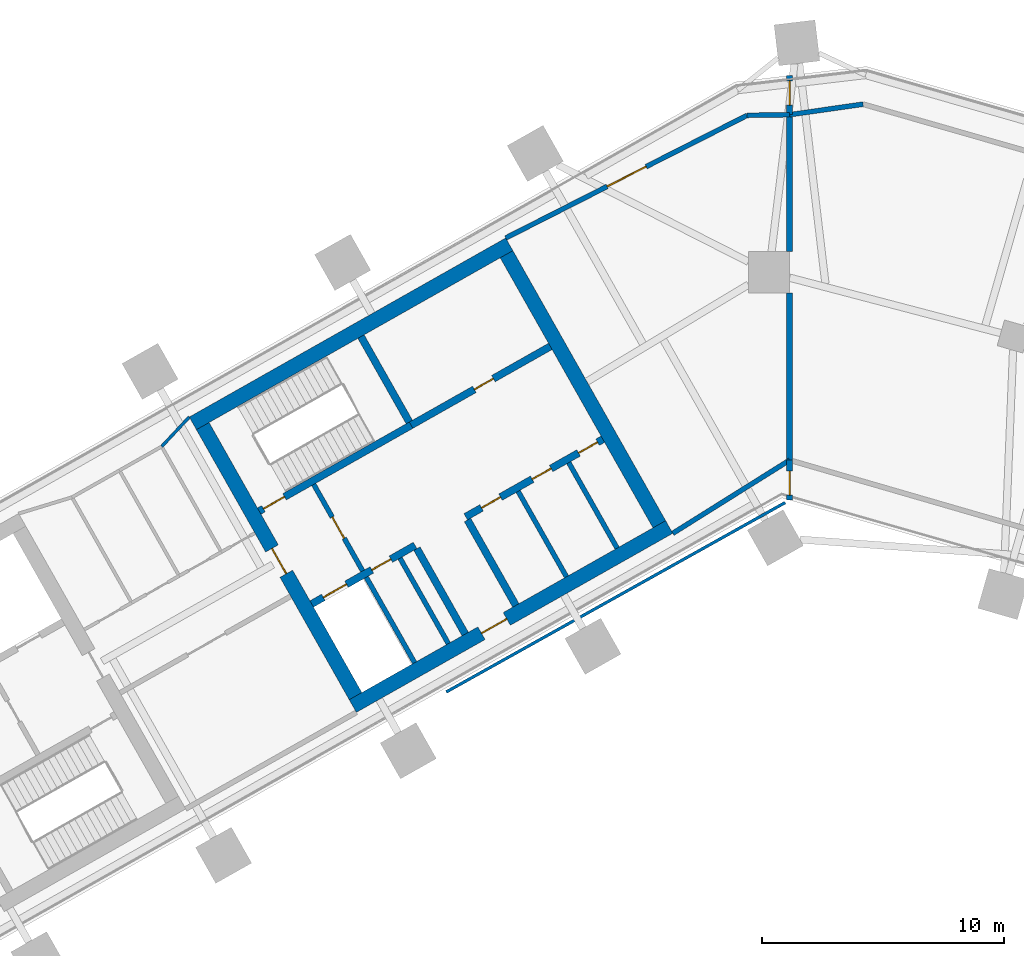
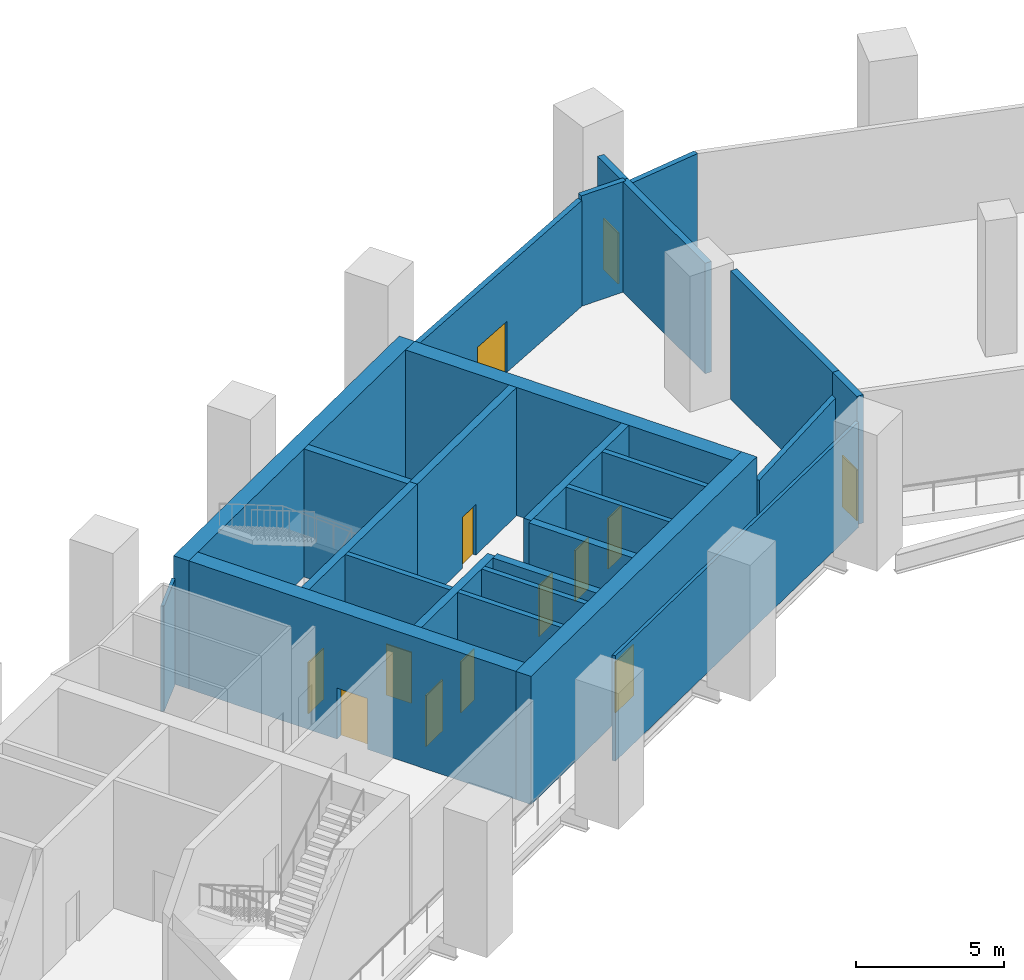
# One storey, part 5 of 11: 26 walls, 13 doors, 13 openings.
"""IFC4 building model written with IfcOpenShell, lengths in metres."""

from ifc_helpers import new_model, si_unit, direction, frame, frame_2d, origin, place, context, subcontext, project, spatial, rectangle, extrude, material, layer, layer_set, type_object, element, fill, save


model = new_model("IFC4")

# Units and contexts
model_context = context("Model", 3, precision=1e-05, world=origin(), true_north=direction((0.0, 1.0)))
body_context = subcontext(model_context, "Body", "Model", "MODEL_VIEW")
ifc_project = project(units=[si_unit("LENGTHUNIT", "METRE"), si_unit("AREAUNIT", "SQUARE_METRE"), si_unit("VOLUMEUNIT", "CUBIC_METRE"), si_unit("PLANEANGLEUNIT", "RADIAN"), si_unit("MASSUNIT", "GRAM", prefix="KILO")], contexts=[model_context])

# Site, building, storey
site_placement = place(None, origin())
site = spatial("IfcSite", under=ifc_project, at=site_placement, CompositionType="ELEMENT")
building_placement = place(site_placement, origin())
building = spatial("IfcBuilding", under=site, at=building_placement, Name="Binnacle Exchange Tower", CompositionType="ELEMENT")
storey_placement = place(building_placement, frame((0.0, 0.0, 91.5)))
storey = spatial("IfcBuildingStorey", under=building, at=storey_placement, Name="L18", CompositionType="ELEMENT", Elevation=91.5)

# Walls
ifc_material_1 = material(Name="Gypsum partition fire rated")
ifc_layer_1 = layer(ifc_material_1, 0.199951171875)
ifc_layer_set_1 = layer_set([ifc_layer_1], Name="Core partition 200")
wall_type_1 = type_object("IfcWallType", Name="Core partition 200", PredefinedType="PARTITIONING", material=ifc_layer_set_1)
wall_1_placement = place(storey_placement, frame((-11.201904296875, 50.96240234375, 0.0), z_axis=(0.0, 0.0, 1.0), x_axis=(0.49241474071, -0.870360685654, 0.0)))
element("IfcWall", 1, at=wall_1_placement, inside=storey, type_object=wall_type_1, Name="Core wall CRWC19", PredefinedType="PARTITIONING", context=body_context, shape_type="SweptSolid", body=[
    extrude(rectangle(XDim=4.05029296875, YDim=0.199951171875, at=frame_2d((2.025146484375, 0.0))), origin(), (0.0, 0.0, 1.0), 5.280029296875),
])
wall_2_placement = place(storey_placement, frame((-9.11279296875, 52.14404296875, 0.0), z_axis=(0.0, 0.0, 1.0), x_axis=(0.492394910396, -0.870371904542, 0.0)))
element("IfcWall", 2, at=wall_2_placement, inside=storey, type_object=wall_type_1, Name="Core wall CRWC22", PredefinedType="PARTITIONING", context=body_context, shape_type="SweptSolid", body=[
    extrude(rectangle(XDim=4.0498046875, YDim=0.199951171875, at=frame_2d((2.02490234375, 0.0))), origin(), (0.0, 0.0, 1.0), 5.280029296875),
])

# Wall, openings, doors
ifc_material_2 = material(Name="Concrete C70/85", Category="concrete")
ifc_layer_2 = layer(ifc_material_2, 0.300048828125)
ifc_layer_set_2 = layer_set([ifc_layer_2], Name="Core wall - front 300")
wall_type_2 = type_object("IfcWallType", Name="Core wall - front 300", PredefinedType="SOLIDWALL", material=ifc_layer_set_2)
wall_3_placement = place(storey_placement, frame((-19.718017578125, 46.31640625, 0.0), z_axis=(0.0, 0.0, 1.0), x_axis=(0.870353963862, 0.492426621528, 0.0)))
wall_3 = element("IfcWall", 3, at=wall_3_placement, inside=storey, type_object=wall_type_2, Name="Core wall CRWC2", PredefinedType="SOLIDWALL", context=body_context, shape_type="SweptSolid", body=[
    extrude(rectangle(XDim=4.89990234375, YDim=0.300048828125, at=frame_2d((2.449951171875, 0.0))), origin(), (0.0, 0.0, 1.0), 5.280029296875),
])
opening_1_placement = place(wall_3_placement, frame((0.550048828125, 0.0, 0.0)))
opening_1 = element("IfcOpeningElement", 4, at=opening_1_placement, cuts=wall_3, Name="Opening LD14", PredefinedType="OPENING", context=body_context, shape_type="SweptSolid", body=[
    extrude(rectangle(XDim=1.10009765625, YDim=2.10009765625, at=frame_2d((0.550048828125, 1.050048828125))), frame((0.0, 0.159912109375, 0.0), z_axis=(0.0, -1.0, 0.0), x_axis=(1.0, 0.0, 0.0)), (0.0, 0.0, 1.0), 0.320068359375),
])
opening_2_placement = place(wall_3_placement, frame((2.85009765625, 0.0, 0.0)))
opening_2 = element("IfcOpeningElement", 5, at=opening_2_placement, cuts=wall_3, Name="Opening DC14", PredefinedType="OPENING", context=body_context, shape_type="SweptSolid", body=[
    extrude(rectangle(XDim=0.89990234375, YDim=2.10009765625, at=frame_2d((0.449951171875, 1.050048828125))), frame((0.0, 0.159912109375, 0.0), z_axis=(0.0, -1.0, 0.0), x_axis=(1.0, 0.0, 0.0)), (0.0, 0.0, 1.0), 0.320068359375),
])
ifc_material_3 = material(Name="Steel door leaf", Category="steel")
door_type_1 = type_object("IfcDoorType", Name="Fire door - lift landing 1100", OperationType="NOTDEFINED", PredefinedType="DOOR", material=ifc_material_3)
door_1_placement = place(opening_1_placement, origin())
door_1 = element("IfcDoor", 6, at=door_1_placement, inside=storey, type_object=door_type_1, Name="Landing door LD14 L18", OperationType="DOUBLE_DOOR_SLIDING", OverallHeight=2.10009765625, OverallWidth=1.10009765625, PredefinedType="DOOR", context=body_context, shape_type="SweptSolid", body=[
    extrude(rectangle(XDim=1.10009765625, YDim=2.10009765625, at=frame_2d((0.550048828125, 1.050048828125))), frame((0.0, 0.02490234375, 0.0), z_axis=(0.0, -1.0, 0.0), x_axis=(1.0, 0.0, 0.0)), (0.0, 0.0, 1.0), 0.050048828125),
])
fill(opening_1, door_1)
door_type_2 = type_object("IfcDoorType", Name="Fire door 900", OperationType="NOTDEFINED", PredefinedType="DOOR", material=ifc_material_3)
door_2_placement = place(opening_2_placement, frame((0.89990234375, 0.0, 0.0), z_axis=(0.0, 0.0, 1.0), x_axis=(-1.0, 0.0, 0.0)))
door_2 = element("IfcDoor", 7, at=door_2_placement, inside=storey, type_object=door_type_2, Name="Core room door CLEANERS STORE", OperationType="SINGLE_SWING_LEFT", OverallHeight=2.10009765625, OverallWidth=0.89990234375, PredefinedType="DOOR", context=body_context, shape_type="SweptSolid", body=[
    extrude(rectangle(XDim=0.89990234375, YDim=2.10009765625, at=frame_2d((0.449951171875, 1.050048828125))), frame((0.0, 0.02490234375, 0.0), z_axis=(0.0, -1.0, 0.0), x_axis=(1.0, 0.0, 0.0)), (0.0, 0.0, 1.0), 0.050048828125),
])
fill(opening_2, door_2)

wall_4_placement = place(storey_placement, frame((-13.364501953125, 49.910888671875, 0.0), z_axis=(0.0, 0.0, 1.0), x_axis=(0.870340995471, 0.49244954219, 0.0)))
wall_4 = element("IfcWall", 8, at=wall_4_placement, inside=storey, type_object=wall_type_2, Name="Core wall CRWC3", PredefinedType="SOLIDWALL", context=body_context, shape_type="SweptSolid", body=[
    extrude(rectangle(XDim=6.5, YDim=0.300048828125, at=frame_2d((3.25, 0.0))), origin(), (0.0, 0.0, 1.0), 5.280029296875),
])
opening_3_placement = place(wall_4_placement, frame((0.75, 0.0, 0.0)))
opening_3 = element("IfcOpeningElement", 9, at=opening_3_placement, cuts=wall_4, Name="Opening DC18", PredefinedType="OPENING", context=body_context, shape_type="SweptSolid", body=[
    extrude(rectangle(XDim=0.89990234375, YDim=2.10009765625, at=frame_2d((0.449951171875, 1.050048828125))), frame((0.0, 0.159912109375, 0.0), z_axis=(0.0, -1.0, 0.0), x_axis=(1.0, 0.0, 0.0)), (0.0, 0.0, 1.0), 0.320068359375),
])
opening_4_placement = place(wall_4_placement, frame((3.14990234375, 0.0, 0.0)))
opening_4 = element("IfcOpeningElement", 10, at=opening_4_placement, cuts=wall_4, Name="Opening DC19", PredefinedType="OPENING", context=body_context, shape_type="SweptSolid", body=[
    extrude(rectangle(XDim=0.89990234375, YDim=2.10009765625, at=frame_2d((0.449951171875, 1.050048828125))), frame((0.0, 0.159912109375, 0.0), z_axis=(0.0, -1.0, 0.0), x_axis=(1.0, 0.0, 0.0)), (0.0, 0.0, 1.0), 0.320068359375),
])
opening_5_placement = place(wall_4_placement, frame((5.35009765625, 0.0, 0.0)))
opening_5 = element("IfcOpeningElement", 11, at=opening_5_placement, cuts=wall_4, Name="Opening DC20", PredefinedType="OPENING", context=body_context, shape_type="SweptSolid", body=[
    extrude(rectangle(XDim=0.89990234375, YDim=2.10009765625, at=frame_2d((0.449951171875, 1.050048828125))), frame((0.0, 0.159912109375, 0.0), z_axis=(0.0, -1.0, 0.0), x_axis=(1.0, 0.0, 0.0)), (0.0, 0.0, 1.0), 0.320068359375),
])
door_3_placement = place(opening_3_placement, frame((0.89990234375, 0.0, 0.0), z_axis=(0.0, 0.0, 1.0), x_axis=(-1.0, 0.0, 0.0)))
door_3 = element("IfcDoor", 12, at=door_3_placement, inside=storey, type_object=door_type_2, Name="Core room door IT STORE", OperationType="SINGLE_SWING_RIGHT", OverallHeight=2.10009765625, OverallWidth=0.89990234375, PredefinedType="DOOR", context=body_context, shape_type="SweptSolid", body=[
    extrude(rectangle(XDim=0.89990234375, YDim=2.10009765625, at=frame_2d((0.449951171875, 1.050048828125))), frame((0.0, 0.02490234375, 0.0), z_axis=(0.0, -1.0, 0.0), x_axis=(1.0, 0.0, 0.0)), (0.0, 0.0, 1.0), 0.050048828125),
])
fill(opening_3, door_3)
door_4_placement = place(opening_4_placement, frame((0.89990234375, 0.0, 0.0), z_axis=(0.0, 0.0, 1.0), x_axis=(-1.0, 0.0, 0.0)))
door_4 = element("IfcDoor", 13, at=door_4_placement, inside=storey, type_object=door_type_2, Name="Core room door UPS CUPBOARD", OperationType="SINGLE_SWING_LEFT", OverallHeight=2.10009765625, OverallWidth=0.89990234375, PredefinedType="DOOR", context=body_context, shape_type="SweptSolid", body=[
    extrude(rectangle(XDim=0.89990234375, YDim=2.10009765625, at=frame_2d((0.449951171875, 1.050048828125))), frame((0.0, 0.02490234375, 0.0), z_axis=(0.0, -1.0, 0.0), x_axis=(1.0, 0.0, 0.0)), (0.0, 0.0, 1.0), 0.050048828125),
])
fill(opening_4, door_4)
door_5_placement = place(opening_5_placement, frame((0.89990234375, 0.0, 0.0), z_axis=(0.0, 0.0, 1.0), x_axis=(-1.0, 0.0, 0.0)))
door_5 = element("IfcDoor", 14, at=door_5_placement, inside=storey, type_object=door_type_2, Name="Core room door FIBRE ENTRY ROOM", OperationType="SINGLE_SWING_LEFT", OverallHeight=2.10009765625, OverallWidth=0.89990234375, PredefinedType="DOOR", context=body_context, shape_type="SweptSolid", body=[
    extrude(rectangle(XDim=0.89990234375, YDim=2.10009765625, at=frame_2d((0.449951171875, 1.050048828125))), frame((0.0, 0.02490234375, 0.0), z_axis=(0.0, -1.0, 0.0), x_axis=(1.0, 0.0, 0.0)), (0.0, 0.0, 1.0), 0.050048828125),
])
fill(opening_5, door_5)

# Wall, opening, door
wall_5_placement = place(storey_placement, frame((-15.6181640625, 53.69140625, 0.0), z_axis=(0.0, 0.0, 1.0), x_axis=(0.870356769198, 0.492421663121, 0.0)))
wall_5 = element("IfcWall", 15, at=wall_5_placement, inside=storey, type_object=wall_type_2, Name="Core wall CRWC5", PredefinedType="SOLIDWALL", context=body_context, shape_type="SweptSolid", body=[
    extrude(rectangle(XDim=6.60009765625, YDim=0.300048828125, at=frame_2d((3.300048828125, 0.0))), origin(), (0.0, 0.0, 1.0), 5.280029296875),
])
opening_6_placement = place(wall_5_placement, frame((3.0, 0.0, 0.0)))
opening_6 = element("IfcOpeningElement", 16, at=opening_6_placement, cuts=wall_5, Name="Opening DC10", PredefinedType="OPENING", context=body_context, shape_type="SweptSolid", body=[
    extrude(rectangle(XDim=0.89990234375, YDim=2.10009765625, at=frame_2d((0.449951171875, 1.050048828125))), frame((0.0, 0.159912109375, 0.0), z_axis=(0.0, -1.0, 0.0), x_axis=(1.0, 0.0, 0.0)), (0.0, 0.0, 1.0), 0.320068359375),
])
door_6_placement = place(opening_6_placement, origin())
door_6 = element("IfcDoor", 17, at=door_6_placement, inside=storey, type_object=door_type_2, Name="Core room door STAFF PANTRY AND STORE", OperationType="SINGLE_SWING_RIGHT", OverallHeight=2.10009765625, OverallWidth=0.89990234375, PredefinedType="DOOR", context=body_context, shape_type="SweptSolid", body=[
    extrude(rectangle(XDim=0.89990234375, YDim=2.10009765625, at=frame_2d((0.449951171875, 1.050048828125))), frame((0.0, 0.02490234375, 0.0), z_axis=(0.0, -1.0, 0.0), x_axis=(1.0, 0.0, 0.0)), (0.0, 0.0, 1.0), 0.050048828125),
])
fill(opening_6, door_6)

# Walls
for number, where, z_axis, x_axis, name in (
    (18, (-15.37939453125, 48.5986328125, 0.0), (0.0, 0.0, 1.0), (0.492394910396, -0.870371904542, 0.0), "Core wall CRWC13"),
    (19, (-13.29052734375, 49.780517578125, 0.0), (0.0, 0.0, 1.0), (0.492394910396, -0.870371904542, 0.0), "Core wall CRWC15"),
):
    element("IfcWall", number, at=place(storey_placement, frame(where, z_axis=z_axis, x_axis=x_axis)), inside=storey, type_object=wall_type_2, Name=name, PredefinedType="SOLIDWALL", context=body_context, shape_type="SweptSolid", body=[
        extrude(rectangle(XDim=4.0498046875, YDim=0.300048828125, at=frame_2d((2.02490234375, 0.0))), origin(), (0.0, 0.0, 1.0), 5.280029296875),
    ])

# Wall, opening, door
ifc_layer_3 = layer(ifc_material_2, 0.60009765625)
ifc_layer_set_3 = layer_set([ifc_layer_3], Name="Core wall - outer 600")
wall_type_3 = type_object("IfcWallType", Name="Core wall - outer 600", PredefinedType="SOLIDWALL", material=ifc_layer_set_3)
wall_6_placement = place(storey_placement, frame((-18.0244140625, 42.104248046875, 0.0), z_axis=(0.0, 0.0, 1.0), x_axis=(0.870360574057, 0.492414937962, 0.0)))
wall_6 = element("IfcWall", 20, at=wall_6_placement, inside=storey, type_object=wall_type_3, Name="Core wall CRWC1", PredefinedType="SOLIDWALL", context=body_context, shape_type="SweptSolid", body=[
    extrude(rectangle(XDim=15.0, YDim=0.60009765625, at=frame_2d((7.5, 0.0))), origin(), (0.0, 0.0, 1.0), 5.280029296875),
])
opening_7_placement = place(wall_6_placement, frame((6.10009765625, 0.0, 0.0)))
opening_7 = element("IfcOpeningElement", 21, at=opening_7_placement, cuts=wall_6, Name="Opening DC7", PredefinedType="OPENING", context=body_context, shape_type="SweptSolid", body=[
    extrude(rectangle(XDim=1.199951171875, YDim=2.10009765625, at=frame_2d((0.60009765625, 1.050048828125))), frame((0.0, 0.31005859375, 0.0), z_axis=(0.0, -1.0, 0.0), x_axis=(1.0, 0.0, 0.0)), (0.0, 0.0, 1.0), 0.6201171875),
])
door_type_3 = type_object("IfcDoorType", Name="Fire door 1200", OperationType="NOTDEFINED", PredefinedType="DOOR", material=ifc_material_3)
door_7_placement = place(opening_7_placement, frame((1.199951171875, 0.0, 0.0), z_axis=(0.0, 0.0, 1.0), x_axis=(-1.0, 0.0, 0.0)))
door_7 = element("IfcDoor", 22, at=door_7_placement, inside=storey, type_object=door_type_3, Name="Lift lobby entrance door core C", OperationType="SINGLE_SWING_RIGHT", OverallHeight=2.10009765625, OverallWidth=1.199951171875, PredefinedType="DOOR", context=body_context, shape_type="SweptSolid", body=[
    extrude(rectangle(XDim=1.199951171875, YDim=2.10009765625, at=frame_2d((0.60009765625, 1.050048828125))), frame((0.0, 0.02490234375, 0.0), z_axis=(0.0, -1.0, 0.0), x_axis=(1.0, 0.0, 0.0)), (0.0, 0.0, 1.0), 0.050048828125),
])
fill(opening_7, door_7)

# Wall
wall_7_placement = place(storey_placement, frame((-24.622802734375, 53.76708984375, 0.0), z_axis=(0.0, 0.0, 1.0), x_axis=(0.870356627484, 0.492421913601, 0.0)))
element("IfcWall", 23, at=wall_7_placement, inside=storey, type_object=wall_type_3, Name="Core wall CRWC6", PredefinedType="SOLIDWALL", context=body_context, shape_type="SweptSolid", body=[
    extrude(rectangle(XDim=14.999755859375, YDim=0.60009765625, at=frame_2d((7.5, 0.0))), origin(), (0.0, 0.0, 1.0), 5.280029296875),
])

# Wall, opening, door
wall_8_placement = place(storey_placement, frame((-24.214111328125, 53.653564453125, 0.0), z_axis=(0.0, 0.0, 1.0), x_axis=(0.492441221355, -0.870345703448, 0.0)))
wall_8 = element("IfcWall", 24, at=wall_8_placement, inside=storey, type_object=wall_type_3, Name="Core wall CRWC7", PredefinedType="SOLIDWALL", context=body_context, shape_type="SweptSolid", body=[
    extrude(rectangle(XDim=12.800048828125, YDim=0.60009765625, at=frame_2d((6.39990234375, 0.0))), origin(), (0.0, 0.0, 1.0), 5.280029296875),
])
opening_8_placement = place(wall_8_placement, frame((5.800048828125, 0.0, 0.0)))
opening_8 = element("IfcOpeningElement", 25, at=opening_8_placement, cuts=wall_8, Name="Opening DC5", PredefinedType="OPENING", context=body_context, shape_type="SweptSolid", body=[
    extrude(rectangle(XDim=1.199951171875, YDim=2.10009765625, at=frame_2d((0.60009765625, 1.050048828125))), frame((0.0, 0.31005859375, 0.0), z_axis=(0.0, -1.0, 0.0), x_axis=(1.0, 0.0, 0.0)), (0.0, 0.0, 1.0), 0.6201171875),
])
door_8_placement = place(opening_8_placement, frame((1.199951171875, 0.0, 0.0), z_axis=(0.0, 0.0, 1.0), x_axis=(-1.0, 0.0, 0.0)))
door_8 = element("IfcDoor", 26, at=door_8_placement, inside=storey, type_object=door_type_3, Name="Vestibule exit door VEST-W", OperationType="SINGLE_SWING_LEFT", OverallHeight=2.10009765625, OverallWidth=1.199951171875, PredefinedType="DOOR", context=body_context, shape_type="SweptSolid", body=[
    extrude(rectangle(XDim=1.199951171875, YDim=2.10009765625, at=frame_2d((0.60009765625, 1.050048828125))), frame((0.0, 0.02490234375, 0.0), z_axis=(0.0, -1.0, 0.0), x_axis=(1.0, 0.0, 0.0)), (0.0, 0.0, 1.0), 0.050048828125),
])
fill(opening_8, door_8)

# Wall
wall_9_placement = place(storey_placement, frame((-11.680908203125, 60.744384765625, 0.0), z_axis=(0.0, 0.0, 1.0), x_axis=(0.492426772896, -0.870353878221, 0.0)))
element("IfcWall", 27, at=wall_9_placement, inside=storey, type_object=wall_type_3, Name="Core wall CRWC24", PredefinedType="SOLIDWALL", context=body_context, shape_type="SweptSolid", body=[
    extrude(rectangle(XDim=12.7998046875, YDim=0.60009765625, at=frame_2d((6.39990234375, 0.0))), origin(), (0.0, 0.0, 1.0), 5.280029296875),
])

# Wall, opening, door
ifc_layer_4 = layer(ifc_material_2, 0.300048828125)
ifc_layer_set_4 = layer_set([ifc_layer_4], Name="Core wall - stair 300")
wall_type_4 = type_object("IfcWallType", Name="Core wall - stair 300", PredefinedType="SOLIDWALL", material=ifc_layer_set_4)
wall_10_placement = place(storey_placement, frame((-21.884765625, 50.14599609375, 0.0), z_axis=(0.0, 0.0, 1.0), x_axis=(0.870359411463, 0.492416992881, 0.0)))
wall_10 = element("IfcWall", 28, at=wall_10_placement, inside=storey, type_object=wall_type_4, Name="Core wall CRWC4", PredefinedType="SOLIDWALL", context=body_context, shape_type="SweptSolid", body=[
    extrude(rectangle(XDim=7.199951171875, YDim=0.300048828125, at=frame_2d((3.60009765625, 0.0))), origin(), (0.0, 0.0, 1.0), 5.280029296875),
])
opening_9_placement = place(wall_10_placement, frame((0.199951171875, 0.0, 0.0)))
opening_9 = element("IfcOpeningElement", 29, at=opening_9_placement, cuts=wall_10, Name="Opening DC1", PredefinedType="OPENING", context=body_context, shape_type="SweptSolid", body=[
    extrude(rectangle(XDim=1.0, YDim=2.10009765625, at=frame_2d((0.5, 1.050048828125))), frame((0.0, 0.159912109375, 0.0), z_axis=(0.0, -1.0, 0.0), x_axis=(1.0, 0.0, 0.0)), (0.0, 0.0, 1.0), 0.320068359375),
])
door_type_4 = type_object("IfcDoorType", Name="Fire door 1000", OperationType="NOTDEFINED", PredefinedType="DOOR", material=ifc_material_3)
door_9_placement = place(opening_9_placement, origin())
door_9 = element("IfcDoor", 30, at=door_9_placement, inside=storey, type_object=door_type_4, Name="Stair door ST-C1", OperationType="SINGLE_SWING_LEFT", OverallHeight=2.10009765625, OverallWidth=1.0, PredefinedType="DOOR", context=body_context, shape_type="SweptSolid", body=[
    extrude(rectangle(XDim=1.0, YDim=2.10009765625, at=frame_2d((0.5, 1.050048828125))), frame((0.0, 0.02490234375, 0.0), z_axis=(0.0, -1.0, 0.0), x_axis=(1.0, 0.0, 0.0)), (0.0, 0.0, 1.0), 0.050048828125),
])
fill(opening_9, door_9)

# Wall
wall_11_placement = place(storey_placement, frame((-17.686279296875, 57.3466796875, 0.0), z_axis=(0.0, 0.0, 1.0), x_axis=(0.492420746998, -0.870357287513, 0.0)))
element("IfcWall", 31, at=wall_11_placement, inside=storey, type_object=wall_type_4, Name="Core wall CRWC14", PredefinedType="SOLIDWALL", context=body_context, shape_type="SweptSolid", body=[
    extrude(rectangle(XDim=4.049560546875, YDim=0.300048828125, at=frame_2d((2.02490234375, 0.0))), origin(), (0.0, 0.0, 1.0), 5.280029296875),
])

# Wall, opening, door
ifc_material_4 = material(Name="Masonry block wall", Category="masonry")
ifc_layer_5 = layer(ifc_material_4, 0.199951171875)
ifc_layer_set_5 = layer_set([ifc_layer_5], Name="Fire wall - block 200")
wall_type_5 = type_object("IfcWallType", Name="Fire wall - block 200", PredefinedType="PARTITIONING", material=ifc_layer_set_5)
wall_12_placement = place(storey_placement, frame((-11.715087890625, 61.4140625, 0.0), z_axis=(0.0, 0.0, 1.0), x_axis=(0.891505734035, 0.4530094107, 0.0)))
wall_12 = element("IfcWall", 32, at=wall_12_placement, inside=storey, type_object=wall_type_5, Name="Partition W20", PredefinedType="PARTITIONING", context=body_context, shape_type="SweptSolid", body=[
    extrude(rectangle(XDim=11.169921875, YDim=0.199951171875, at=frame_2d((5.5849609375, 0.0))), origin(), (0.0, 0.0, 1.0), 4.360107421875),
])
opening_10_placement = place(wall_12_placement, frame((4.699951171875, 0.0, 0.0)))
opening_10 = element("IfcOpeningElement", 33, at=opening_10_placement, cuts=wall_12, Name="Opening DL18-07", PredefinedType="OPENING", context=body_context, shape_type="SweptSolid", body=[
    extrude(rectangle(XDim=1.800048828125, YDim=2.10009765625, at=frame_2d((0.89990234375, 1.050048828125))), frame((0.0, 0.10986328125, 0.0), z_axis=(0.0, -1.0, 0.0), x_axis=(1.0, 0.0, 0.0)), (0.0, 0.0, 1.0), 0.219970703125),
])
door_type_5 = type_object("IfcDoorType", Name="Fire door 1800", OperationType="NOTDEFINED", PredefinedType="DOOR", material=ifc_material_3)
door_10_placement = place(opening_10_placement, frame((1.800048828125, 0.0, 0.0), z_axis=(0.0, 0.0, 1.0), x_axis=(-1.0, 0.0, 0.0)))
door_10 = element("IfcDoor", 34, at=door_10_placement, inside=storey, type_object=door_type_5, Name="Door DL18-07", OperationType="DOUBLE_DOOR_SINGLE_SWING", OverallHeight=2.10009765625, OverallWidth=1.800048828125, PredefinedType="DOOR", context=body_context, shape_type="SweptSolid", body=[
    extrude(rectangle(XDim=1.800048828125, YDim=2.10009765625, at=frame_2d((0.89990234375, 1.050048828125))), frame((0.0, 0.02490234375, 0.0), z_axis=(0.0, -1.0, 0.0), x_axis=(1.0, 0.0, 0.0)), (0.0, 0.0, 1.0), 0.050048828125),
])
fill(opening_10, door_10)

# Walls
wall_13_placement = place(storey_placement, frame((-4.821044921875, 49.22998046875, 0.0), z_axis=(0.0, 0.0, 1.0), x_axis=(0.847455386679, 0.530866619396, 0.0)))
element("IfcWall", 35, at=wall_13_placement, inside=storey, type_object=wall_type_5, Name="Partition W21", PredefinedType="PARTITIONING", context=body_context, shape_type="SweptSolid", body=[
    extrude(rectangle(XDim=5.68896484375, YDim=0.199951171875, at=frame_2d((2.844482421875, 0.0))), origin(), (0.0, 0.0, 1.0), 4.342041015625),
])
wall_14_placement = place(storey_placement, frame((-1.757080078125, 66.47412109375, 0.0), z_axis=(0.0, 0.0, 1.0), x_axis=(0.999891555363, 0.014726761827, 0.0)))
element("IfcWall", 36, at=wall_14_placement, inside=storey, type_object=wall_type_5, Name="Partition W22", PredefinedType="PARTITIONING", context=body_context, shape_type="SweptSolid", body=[
    extrude(rectangle(XDim=1.75732421875, YDim=0.199951171875, at=frame_2d((0.878662109375, 0.0))), origin(), (0.0, 0.0, 1.0), 4.552001953125),
])
wall_15_placement = place(storey_placement, frame((0.0, 66.5, 0.0), z_axis=(0.0, 0.0, 1.0), x_axis=(0.989887165849, 0.1418569663, 0.0)))
element("IfcWall", 37, at=wall_15_placement, inside=storey, type_object=wall_type_5, Name="Partition W28", PredefinedType="PARTITIONING", context=body_context, shape_type="SweptSolid", body=[
    extrude(rectangle(XDim=3.06005859375, YDim=0.199951171875, at=frame_2d((1.530029296875, 0.0))), origin(), (0.0, 0.0, 1.0), 4.342041015625),
])

# Wall, opening, door
ifc_material_5 = material(Name="Concrete fire wall C30/37", Category="concrete")
ifc_layer_6 = layer(ifc_material_5, 0.25)
ifc_layer_set_6 = layer_set([ifc_layer_6], Name="Fire wall - compartment 250")
wall_type_6 = type_object("IfcWallType", Name="Fire wall - compartment 250", PredefinedType="PARTITIONING", material=ifc_layer_set_6)
wall_16_placement = place(storey_placement, frame((0.0, 50.60107421875, 0.0), z_axis=(0.0, 0.0, 1.0), x_axis=(0.0, 1.0, 0.0)))
wall_16 = element("IfcWall", 38, at=wall_16_placement, inside=storey, type_object=wall_type_6, Name="Fire Wall W23", PredefinedType="PARTITIONING", context=body_context, shape_type="SweptSolid", body=[
    extrude(rectangle(XDim=1.64892578125, YDim=0.25, at=frame_2d((0.824462890625, 0.0))), origin(), (0.0, 0.0, 1.0), 5.280029296875),
])
opening_11_placement = place(wall_16_placement, frame((0.199951171875, 0.0, 0.0)))
opening_11 = element("IfcOpeningElement", 39, at=opening_11_placement, cuts=wall_16, Name="Opening DL18-13", PredefinedType="OPENING", context=body_context, shape_type="SweptSolid", body=[
    extrude(rectangle(XDim=1.0, YDim=2.10009765625, at=frame_2d((0.5, 1.050048828125))), frame((0.0, 0.135009765625, 0.0), z_axis=(0.0, -1.0, 0.0), x_axis=(1.0, 0.0, 0.0)), (0.0, 0.0, 1.0), 0.27001953125),
])
door_11_placement = place(opening_11_placement, origin())
door_11 = element("IfcDoor", 40, at=door_11_placement, inside=storey, type_object=door_type_4, Name="Door DL18-13", OperationType="SINGLE_SWING_LEFT", OverallHeight=2.10009765625, OverallWidth=1.0, PredefinedType="DOOR", context=body_context, shape_type="SweptSolid", body=[
    extrude(rectangle(XDim=1.0, YDim=2.10009765625, at=frame_2d((0.5, 1.050048828125))), frame((0.0, 0.02490234375, 0.0), z_axis=(0.0, -1.0, 0.0), x_axis=(1.0, 0.0, 0.0)), (0.0, 0.0, 1.0), 0.050048828125),
])
fill(opening_11, door_11)

# Walls
wall_17_placement = place(storey_placement, frame((0.0, 52.25, 0.0), z_axis=(0.0, 0.0, 1.0), x_axis=(0.0, 1.0, 0.0)))
element("IfcWall", 41, at=wall_17_placement, inside=storey, type_object=wall_type_6, Name="Fire Wall W24", PredefinedType="PARTITIONING", context=body_context, shape_type="SweptSolid", body=[
    extrude(rectangle(XDim=6.89990234375, YDim=0.25, at=frame_2d((3.449951171875, 0.0))), origin(), (0.0, 0.0, 1.0), 5.280029296875),
])
wall_18_placement = place(storey_placement, frame((0.0, 60.85009765625, 0.0), z_axis=(0.0, 0.0, 1.0), x_axis=(0.0, 1.0, 0.0)))
element("IfcWall", 42, at=wall_18_placement, inside=storey, type_object=wall_type_6, Name="Fire Wall W26", PredefinedType="PARTITIONING", context=body_context, shape_type="SweptSolid", body=[
    extrude(rectangle(XDim=5.64990234375, YDim=0.25, at=frame_2d((2.824951171875, 0.0))), origin(), (0.0, 0.0, 1.0), 4.552001953125),
])

# Wall, opening, door
wall_19_placement = place(storey_placement, frame((0.0, 66.5, 0.0), z_axis=(0.0, 0.0, 1.0), x_axis=(0.0, 1.0, 0.0)))
wall_19 = element("IfcWall", 43, at=wall_19_placement, inside=storey, type_object=wall_type_6, Name="Fire Wall W27", PredefinedType="PARTITIONING", context=body_context, shape_type="SweptSolid", body=[
    extrude(rectangle(XDim=1.6201171875, YDim=0.25, at=frame_2d((0.81005859375, 0.0))), origin(), (0.0, 0.0, 1.0), 4.552001953125),
])
opening_12_placement = place(wall_19_placement, frame((0.39990234375, 0.0, 0.0)))
opening_12 = element("IfcOpeningElement", 44, at=opening_12_placement, cuts=wall_19, Name="Opening DL18-14", PredefinedType="OPENING", context=body_context, shape_type="SweptSolid", body=[
    extrude(rectangle(XDim=1.0, YDim=2.10009765625, at=frame_2d((0.5, 1.050048828125))), frame((0.0, 0.135009765625, 0.0), z_axis=(0.0, -1.0, 0.0), x_axis=(1.0, 0.0, 0.0)), (0.0, 0.0, 1.0), 0.27001953125),
])
door_12_placement = place(opening_12_placement, origin())
door_12 = element("IfcDoor", 45, at=door_12_placement, inside=storey, type_object=door_type_4, Name="Door DL18-14", OperationType="SINGLE_SWING_RIGHT", OverallHeight=2.10009765625, OverallWidth=1.0, PredefinedType="DOOR", context=body_context, shape_type="SweptSolid", body=[
    extrude(rectangle(XDim=1.0, YDim=2.10009765625, at=frame_2d((0.5, 1.050048828125))), frame((0.0, 0.02490234375, 0.0), z_axis=(0.0, -1.0, 0.0), x_axis=(1.0, 0.0, 0.0)), (0.0, 0.0, 1.0), 0.050048828125),
])
fill(opening_12, door_12)

ifc_layer_7 = layer(ifc_material_4, 0.199951171875)
ifc_layer_set_7 = layer_set([ifc_layer_7], Name="Fire wall - vestibule 200")
wall_type_7 = type_object("IfcWallType", Name="Fire wall - vestibule 200", PredefinedType="PARTITIONING", material=ifc_layer_set_7)
wall_20_placement = place(storey_placement, frame((-19.635009765625, 51.246337890625, 0.0), z_axis=(0.0, 0.0, 1.0), x_axis=(0.492408451753, -0.87036424366, 0.0)))
wall_20 = element("IfcWall", 46, at=wall_20_placement, inside=storey, type_object=wall_type_7, Name="Core wall CRWC10", PredefinedType="PARTITIONING", context=body_context, shape_type="SweptSolid", body=[
    extrude(rectangle(XDim=4.099853515625, YDim=0.199951171875, at=frame_2d((2.0498046875, 0.0))), origin(), (0.0, 0.0, 1.0), 5.280029296875),
])
opening_13_placement = place(wall_20_placement, frame((1.550048828125, 0.0, 0.0)))
opening_13 = element("IfcOpeningElement", 47, at=opening_13_placement, cuts=wall_20, Name="Opening DC3", PredefinedType="OPENING", context=body_context, shape_type="SweptSolid", body=[
    extrude(rectangle(XDim=1.0, YDim=2.10009765625, at=frame_2d((0.5, 1.050048828125))), frame((0.0, 0.10986328125, 0.0), z_axis=(0.0, -1.0, 0.0), x_axis=(1.0, 0.0, 0.0)), (0.0, 0.0, 1.0), 0.219970703125),
])
door_13_placement = place(opening_13_placement, frame((1.0, 0.0, 0.0), z_axis=(0.0, 0.0, 1.0), x_axis=(-1.0, 0.0, 0.0)))
door_13 = element("IfcDoor", 48, at=door_13_placement, inside=storey, type_object=door_type_4, Name="Vestibule door VEST-W", OperationType="SINGLE_SWING_RIGHT", OverallHeight=2.10009765625, OverallWidth=1.0, PredefinedType="DOOR", context=body_context, shape_type="SweptSolid", body=[
    extrude(rectangle(XDim=1.0, YDim=2.10009765625, at=frame_2d((0.5, 1.050048828125))), frame((0.0, 0.02490234375, 0.0), z_axis=(0.0, -1.0, 0.0), x_axis=(1.0, 0.0, 0.0)), (0.0, 0.0, 1.0), 0.050048828125),
])
fill(opening_13, door_13)

# Walls
ifc_material_6 = material(Name="Gypsum partition")
ifc_layer_8 = layer(ifc_material_6, 0.125)
ifc_layer_set_8 = layer_set([ifc_layer_8], Name="Partition 125")
wall_type_8 = type_object("IfcWallType", Name="Partition 125", PredefinedType="PARTITIONING", material=ifc_layer_set_8)
wall_21_placement = place(storey_placement, frame((-25.908935546875, 52.81005859375, 0.0), z_axis=(0.0, 0.0, 1.0), x_axis=(0.682678244456, 0.730719107829, 0.0)))
element("IfcWall", 49, at=wall_21_placement, inside=storey, type_object=wall_type_8, Name="Partition W14", PredefinedType="PARTITIONING", context=body_context, shape_type="SweptSolid", body=[
    extrude(rectangle(XDim=1.6669921875, YDim=0.125, at=frame_2d((0.83349609375, 0.0))), origin(), (0.0, 0.0, 1.0), 4.347900390625),
])
wall_22_placement = place(storey_placement, frame((-14.1689453125, 42.68408203125, 0.0), z_axis=(0.0, 0.0, 1.0), x_axis=(0.872958370826, 0.487794713793, 0.0)))
element("IfcWall", 50, at=wall_22_placement, inside=storey, type_object=wall_type_8, Name="Partition W19", PredefinedType="PARTITIONING", context=body_context, shape_type="SweptSolid", body=[
    extrude(rectangle(XDim=16.01904296875, YDim=0.125, at=frame_2d((8.009521484375, 0.0))), origin(), (0.0, 0.0, 1.0), 4.342041015625),
])
ifc_layer_9 = layer(ifc_material_4, 0.199951171875)
ifc_layer_set_9 = layer_set([ifc_layer_9], Name="Riser wall 200")
wall_type_9 = type_object("IfcWallType", Name="Riser wall 200", PredefinedType="SOLIDWALL", material=ifc_layer_set_9)
wall_23_placement = place(storey_placement, frame((-16.07568359375, 48.20458984375, 0.0), z_axis=(0.0, 0.0, 1.0), x_axis=(0.492394910396, -0.870371904542, 0.0)))
element("IfcWall", 51, at=wall_23_placement, inside=storey, type_object=wall_type_9, Name="Core wall CRWC12", PredefinedType="SOLIDWALL", context=body_context, shape_type="SweptSolid", body=[
    extrude(rectangle(XDim=4.0498046875, YDim=0.199951171875, at=frame_2d((2.02490234375, 0.0))), origin(), (0.0, 0.0, 1.0), 5.280029296875),
])
ifc_layer_10 = layer(ifc_material_4, 0.199951171875)
ifc_layer_set_10 = layer_set([ifc_layer_10], Name="Shaft wall 200")
wall_type_10 = type_object("IfcWallType", Name="Shaft wall 200", PredefinedType="SOLIDWALL", material=ifc_layer_set_10)
wall_24_placement = place(storey_placement, frame((-17.468505859375, 47.416748046875, 0.0), z_axis=(0.0, 0.0, 1.0), x_axis=(0.492440575896, -0.870346068648, 0.0)))
element("IfcWall", 52, at=wall_24_placement, inside=storey, type_object=wall_type_10, Name="Core wall CRWC9", PredefinedType="SOLIDWALL", context=body_context, shape_type="SweptSolid", body=[
    extrude(rectangle(XDim=4.050048828125, YDim=0.199951171875, at=frame_2d((2.02490234375, 0.0))), origin(), (0.0, 0.0, 1.0), 5.280029296875),
])

save(model, "model.ifc")
